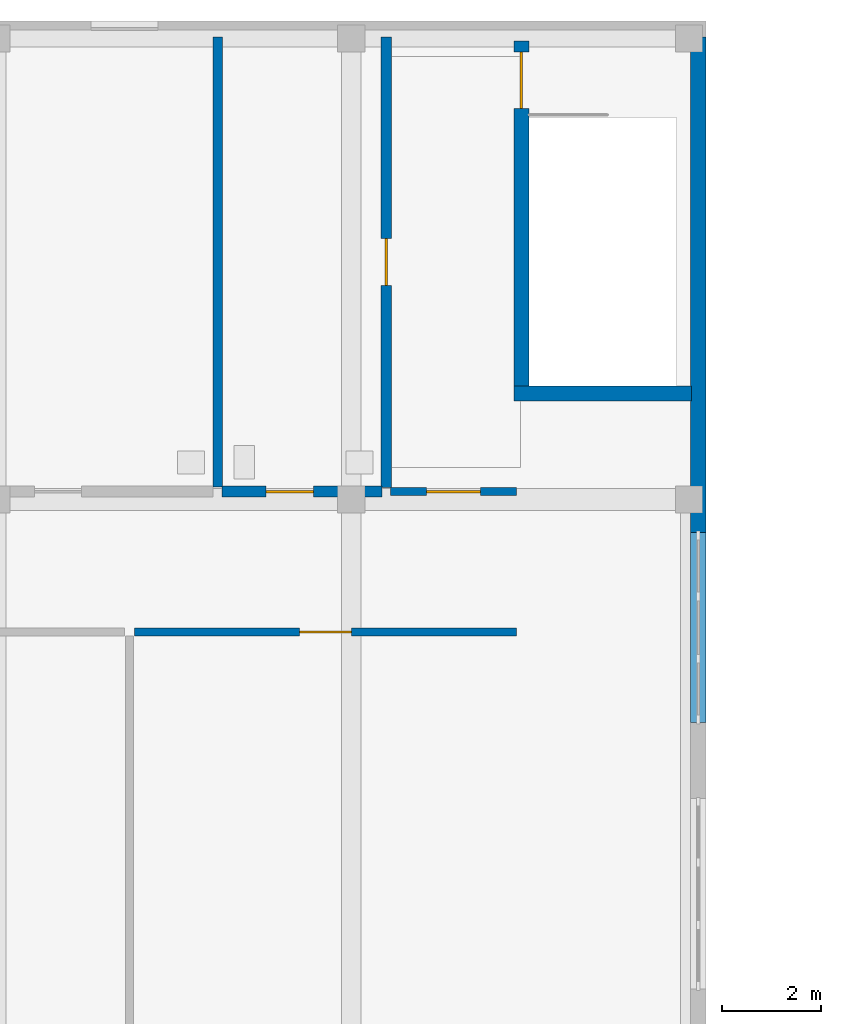
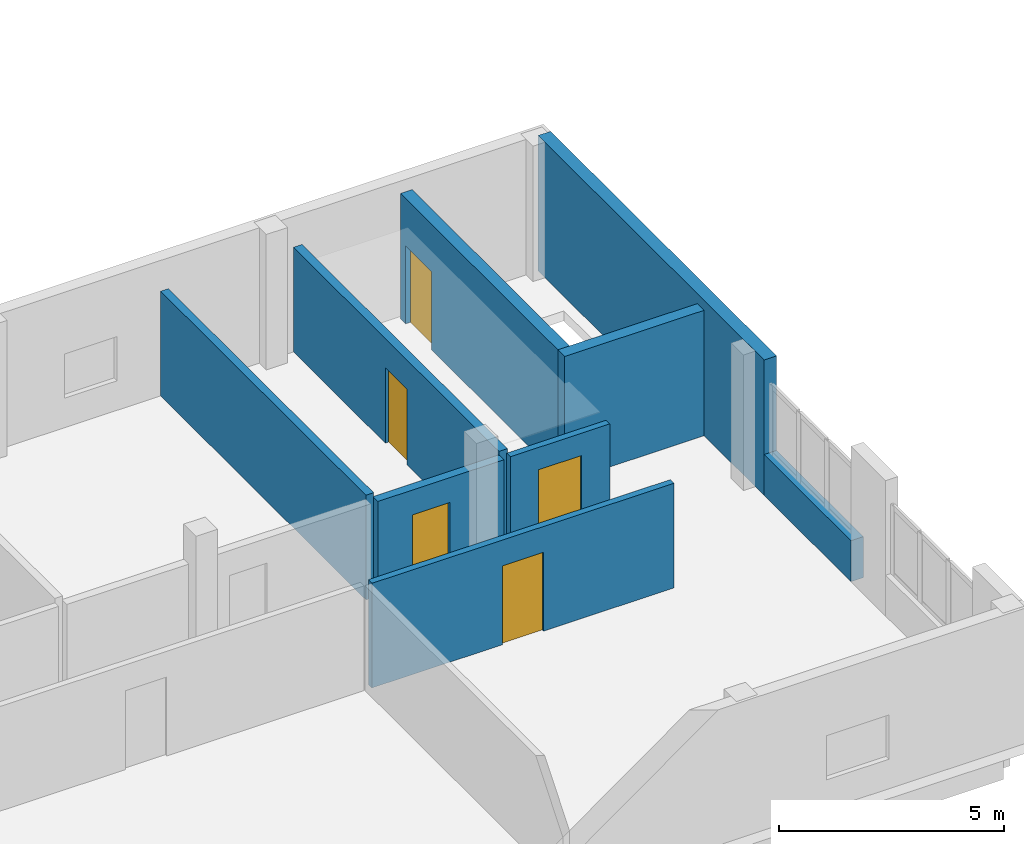
# One storey, part 45 of 73: 9 walls, 5 doors, 5 openings.
"""IFC4 building model written with IfcOpenShell, lengths in metres."""

from ifc_helpers import new_model, si_unit, derived_unit, direction, frame, frame_2d, origin, place, context, subcontext, project, spatial, rectangle, extrude, material, layer, layer_set, type_object, element, fill, save


model = new_model("IFC4")

# Units and contexts
model_context = context("Model", 3, precision=1e-05, world=origin(), true_north=direction((0.0, 1.0)))
body_context = subcontext(model_context, "Body", "Model", "MODEL_VIEW")
ifc_project = project(units=[si_unit("LENGTHUNIT", "METRE"), si_unit("AREAUNIT", "SQUARE_METRE"), si_unit("VOLUMEUNIT", "CUBIC_METRE"), si_unit("PLANEANGLEUNIT", "RADIAN"), si_unit("MASSUNIT", "GRAM", prefix="KILO"), derived_unit("THERMALTRANSMITTANCEUNIT", [(si_unit("MASSUNIT", "GRAM", prefix="KILO"), 1), (si_unit("TIMEUNIT", "SECOND"), -3), (si_unit("THERMODYNAMICTEMPERATUREUNIT", "KELVIN"), -1)])], contexts=[model_context])

# Site, building, storey
site_placement = place(None, origin())
site = spatial("IfcSite", under=ifc_project, at=site_placement, CompositionType="ELEMENT")
building_placement = place(site_placement, origin())
building = spatial("IfcBuilding", under=site, at=building_placement, Name="Ochrekiln Boulevard Commons", CompositionType="ELEMENT")
storey_placement = place(building_placement, frame((0.0, 0.0, 4.89990234375)))
storey = spatial("IfcBuildingStorey", under=building, at=storey_placement, Name="L01", CompositionType="ELEMENT", Elevation=4.89990234375)

# Walls
ifc_material_1 = material(Name="Desert ochre clinker brick masonry ASTM C216 Grade SW", Category="masonry")
ifc_layer_1 = layer(ifc_material_1, 0.320068359375)
ifc_layer_set_1 = layer_set([ifc_layer_1], Name="Desert ochre clinker brick masonry ASTM C216 Grade SW")
wall_type_1 = type_object("IfcWallType", Name="WL-EXT-OCHRE-320", PredefinedType="SOLIDWALL", material=ifc_layer_set_1)
wall_1_placement = place(storey_placement, frame((107.840087890625, 108.429931640625, 0.0), z_axis=(0.0, 0.0, 1.0), x_axis=(0.0, 1.0, 0.0)))
element("IfcWall", 1, at=wall_1_placement, inside=storey, type_object=wall_type_1, Name="Nursery Pavilion L01 E North Pier Wall", PredefinedType="SOLIDWALL", context=body_context, shape_type="SweptSolid", body=[
    extrude(rectangle(XDim=10.050048828125, YDim=0.320068359375, at=frame_2d((5.02490234375, 0.0))), origin(), (0.0, 0.0, 1.0), 3.675048828125),
])
wall_2_placement = place(storey_placement, frame((107.840087890625, 104.570068359375, 0.0), z_axis=(0.0, 0.0, 1.0), x_axis=(0.0, 1.0, 0.0)))
element("IfcWall", 2, at=wall_2_placement, inside=storey, type_object=wall_type_1, Name="Nursery Pavilion L01 E Garden Sill Wall 2", PredefinedType="SOLIDWALL", context=body_context, shape_type="SweptSolid", body=[
    extrude(rectangle(XDim=3.85986328125, YDim=0.320068359375, at=frame_2d((1.929931640625, 0.0))), origin(), (0.0, 0.0, 1.0), 1.110107421875),
])
ifc_material_2 = material(Name="Moisture-resistant cementitious tile backer wall")
ifc_layer_2 = layer(ifc_material_2, 0.199951171875)
ifc_layer_set_2 = layer_set([ifc_layer_2], Name="Moisture-resistant cementitious tile backer wall")
wall_type_2 = type_object("IfcWallType", Name="WL-PLM-200", PredefinedType="PLUMBINGWALL", material=ifc_layer_set_2)
wall_3_placement = place(storey_placement, frame((98.090087890625, 109.35009765625, 0.0), z_axis=(0.0, 0.0, 1.0), x_axis=(0.0, 1.0, 0.0)))
element("IfcWall", 3, at=wall_3_placement, inside=storey, type_object=wall_type_2, Name="L01 Interior Wall W-PW200", PredefinedType="PLUMBINGWALL", context=body_context, shape_type="SweptSolid", body=[
    extrude(rectangle(XDim=9.1298828125, YDim=0.199951171875, at=frame_2d((4.56494140625, 0.0))), origin(), (0.0, 0.0, 1.0), 2.840087890625),
])

# Wall, opening, door
ifc_layer_3 = layer(ifc_material_2, 0.219970703125)
ifc_layer_set_3 = layer_set([ifc_layer_3], Name="Moisture-resistant cementitious tile backer wall")
wall_type_3 = type_object("IfcWallType", Name="WL-PLM-220", PredefinedType="PLUMBINGWALL", material=ifc_layer_set_3)
wall_4_placement = place(storey_placement, frame((98.179931640625, 109.260009765625, 0.0), z_axis=(0.0, 0.0, 1.0), x_axis=(1.0, 0.0, 0.0)))
wall_4 = element("IfcWall", 4, at=wall_4_placement, inside=storey, type_object=wall_type_3, Name="L01 Interior Wall W-PW220", PredefinedType="PLUMBINGWALL", context=body_context, shape_type="SweptSolid", body=[
    extrude(rectangle(XDim=3.239990234375, YDim=0.219970703125, at=frame_2d((1.6201171875, 0.0))), origin(), (0.0, 0.0, 1.0), 2.72509765625),
])
opening_1_placement = place(wall_4_placement, frame((0.889892578125, 0.0, 0.0)))
opening_1 = element("IfcOpeningElement", 5, at=opening_1_placement, cuts=wall_4, Name="Opening D-L01-289", PredefinedType="OPENING", context=body_context, shape_type="SweptSolid", body=[
    extrude(rectangle(XDim=0.9599609375, YDim=2.050048828125, at=frame_2d((0.47998046875, 1.02490234375))), frame((0.0, 0.119873046875, 0.0), z_axis=(0.0, -1.0, 0.0), x_axis=(1.0, 0.0, 0.0)), (0.0, 0.0, 1.0), 0.239990234375),
])
ifc_material_3 = material(Name="Solid core architectural oak door leaf")
door_type_1 = type_object("IfcDoorType", Name="DR-INT-ADA-096", OperationType="NOTDEFINED", PredefinedType="DOOR", material=ifc_material_3)
door_1_placement = place(opening_1_placement, origin())
door_1 = element("IfcDoor", 6, at=door_1_placement, inside=storey, type_object=door_type_1, Name="L01 Interior Door to Staff Accessible WC", OperationType="SINGLE_SWING_LEFT", OverallHeight=2.050048828125, OverallWidth=0.9599609375, PredefinedType="DOOR", context=body_context, shape_type="SweptSolid", body=[
    extrude(rectangle(XDim=0.9599609375, YDim=2.050048828125, at=frame_2d((0.47998046875, 1.02490234375))), frame((0.0, 0.02490234375, 0.0), z_axis=(0.0, -1.0, 0.0), x_axis=(1.0, 0.0, 0.0)), (0.0, 0.0, 1.0), 0.050048828125),
])
fill(opening_1, door_1)

wall_5_placement = place(storey_placement, frame((101.510009765625, 109.343017578125, 0.0), z_axis=(0.0, 0.0, 1.0), x_axis=(0.0, 1.0, 0.0)))
wall_5 = element("IfcWall", 7, at=wall_5_placement, inside=storey, type_object=wall_type_3, Name="L01 Interior Wall W-PW220", PredefinedType="PLUMBINGWALL", context=body_context, shape_type="SweptSolid", body=[
    extrude(rectangle(XDim=9.136962890625, YDim=0.219970703125, at=frame_2d((4.568359375, 0.0))), origin(), (0.0, 0.0, 1.0), 2.840087890625),
])
opening_2_placement = place(wall_5_placement, frame((4.092041015625, 0.0, 0.0)))
opening_2 = element("IfcOpeningElement", 8, at=opening_2_placement, cuts=wall_5, Name="Opening D-L01-290", PredefinedType="OPENING", context=body_context, shape_type="SweptSolid", body=[
    extrude(rectangle(XDim=0.9599609375, YDim=2.050048828125, at=frame_2d((0.47998046875, 1.02490234375))), frame((0.0, 0.119873046875, 0.0), z_axis=(0.0, -1.0, 0.0), x_axis=(1.0, 0.0, 0.0)), (0.0, 0.0, 1.0), 0.239990234375),
])
door_2_placement = place(opening_2_placement, origin())
door_2 = element("IfcDoor", 9, at=door_2_placement, inside=storey, type_object=door_type_1, Name="L01 Interior Door to Staff Accessible WC", OperationType="SINGLE_SWING_RIGHT", OverallHeight=2.050048828125, OverallWidth=0.9599609375, PredefinedType="DOOR", context=body_context, shape_type="SweptSolid", body=[
    extrude(rectangle(XDim=0.9599609375, YDim=2.050048828125, at=frame_2d((0.47998046875, 1.02490234375))), frame((0.0, 0.02490234375, 0.0), z_axis=(0.0, -1.0, 0.0), x_axis=(1.0, 0.0, 0.0)), (0.0, 0.0, 1.0), 0.050048828125),
])
fill(opening_2, door_2)

ifc_material_4 = material(Name="Fire-rated Type X gypsum board on steel studs", Category="steel")
ifc_layer_4 = layer(ifc_material_4, 0.1650390625)
ifc_layer_set_4 = layer_set([ifc_layer_4], Name="Fire-rated Type X gypsum board on steel studs")
wall_type_4 = type_object("IfcWallType", Name="WL-PT-CORR-165", PredefinedType="PARTITIONING", material=ifc_layer_set_4)
wall_6_placement = place(storey_placement, frame((101.60009765625, 109.260009765625, 0.0), z_axis=(0.0, 0.0, 1.0), x_axis=(1.0, 0.0, 0.0)))
wall_6 = element("IfcWall", 10, at=wall_6_placement, inside=storey, type_object=wall_type_4, Name="L01 Interior Wall W-PC165", PredefinedType="PARTITIONING", context=body_context, shape_type="SweptSolid", body=[
    extrude(rectangle(XDim=2.5498046875, YDim=0.1650390625, at=frame_2d((1.27490234375, 0.0))), origin(), (0.0, 0.0, 1.0), 2.72509765625),
])
opening_3_placement = place(wall_6_placement, frame((0.72509765625, 0.0, 0.0)))
opening_3 = element("IfcOpeningElement", 11, at=opening_3_placement, cuts=wall_6, Name="Opening D-L01-282", PredefinedType="OPENING", context=body_context, shape_type="SweptSolid", body=[
    extrude(rectangle(XDim=1.10009765625, YDim=2.1201171875, at=frame_2d((0.550048828125, 1.06005859375))), frame((0.0, 0.092529296875, 0.0), z_axis=(0.0, -1.0, 0.0), x_axis=(1.0, 0.0, 0.0)), (0.0, 0.0, 1.0), 0.18505859375),
])
ifc_material_5 = material(Name="Hollow metal fire-rated steel door assembly", Category="steel")
door_type_2 = type_object("IfcDoorType", Name="DR-LOBBY-60", OperationType="NOTDEFINED", PredefinedType="DOOR", material=ifc_material_5)
door_3_placement = place(opening_3_placement, origin())
door_3 = element("IfcDoor", 12, at=door_3_placement, inside=storey, type_object=door_type_2, Name="L01 Interior Door to Nursery East Stair Corridor", OperationType="SINGLE_SWING_RIGHT", OverallHeight=2.1201171875, OverallWidth=1.10009765625, PredefinedType="DOOR", context=body_context, shape_type="SweptSolid", body=[
    extrude(rectangle(XDim=1.10009765625, YDim=2.1201171875, at=frame_2d((0.550048828125, 1.06005859375))), frame((0.0, 0.02490234375, 0.0), z_axis=(0.0, -1.0, 0.0), x_axis=(1.0, 0.0, 0.0)), (0.0, 0.0, 1.0), 0.050048828125),
])
fill(opening_3, door_3)

wall_7_placement = place(storey_placement, frame((96.39990234375, 106.409912109375, 0.0), z_axis=(0.0, 0.0, 1.0), x_axis=(1.0, 0.0, 0.0)))
wall_7 = element("IfcWall", 13, at=wall_7_placement, inside=storey, type_object=wall_type_4, Name="L01 Interior Wall W-PC165", PredefinedType="PARTITIONING", context=body_context, shape_type="SweptSolid", body=[
    extrude(rectangle(XDim=7.75, YDim=0.1650390625, at=frame_2d((3.875, 0.0))), origin(), (0.0, 0.0, 1.0), 2.840087890625),
])
opening_4_placement = place(wall_7_placement, frame((3.344970703125, 0.0, 0.0)))
opening_4 = element("IfcOpeningElement", 14, at=opening_4_placement, cuts=wall_7, Name="Opening D-L01-285", PredefinedType="OPENING", context=body_context, shape_type="SweptSolid", body=[
    extrude(rectangle(XDim=1.06005859375, YDim=2.139892578125, at=frame_2d((0.530029296875, 1.06982421875))), frame((0.0, 0.092529296875, 0.0), z_axis=(0.0, -1.0, 0.0), x_axis=(1.0, 0.0, 0.0)), (0.0, 0.0, 1.0), 0.18505859375),
])
door_type_3 = type_object("IfcDoorType", Name="DR-INT-NUR-106", OperationType="NOTDEFINED", PredefinedType="DOOR", material=ifc_material_3)
door_4_placement = place(opening_4_placement, frame((1.06005859375, 0.0, 0.0), z_axis=(0.0, 0.0, 1.0), x_axis=(-1.0, 0.0, 0.0)))
door_4 = element("IfcDoor", 15, at=door_4_placement, inside=storey, type_object=door_type_3, Name="L01 Interior Door to Nursery Preschool Classroom 3", OperationType="SINGLE_SWING_LEFT", OverallHeight=2.139892578125, OverallWidth=1.06005859375, PredefinedType="DOOR", context=body_context, shape_type="SweptSolid", body=[
    extrude(rectangle(XDim=1.06005859375, YDim=2.139892578125, at=frame_2d((0.530029296875, 1.06982421875))), frame((0.0, 0.02490234375, 0.0), z_axis=(0.0, -1.0, 0.0), x_axis=(1.0, 0.0, 0.0)), (0.0, 0.0, 1.0), 0.050048828125),
])
fill(opening_4, door_4)

# Wall
ifc_material_6 = material(Name="Concrete C40/50", Category="concrete")
ifc_layer_5 = layer(ifc_material_6, 0.300048828125)
ifc_layer_set_5 = layer_set([ifc_layer_5], Name="Concrete C40/50")
wall_type_5 = type_object("IfcWallType", Name="WL-SH-300", PredefinedType="SHEAR", material=ifc_layer_set_5)
wall_8_placement = place(storey_placement, frame((104.10009765625, 111.25, 0.0), z_axis=(0.0, 0.0, 1.0), x_axis=(1.0, 0.0, 0.0)))
element("IfcWall", 16, at=wall_8_placement, inside=storey, type_object=wall_type_5, Name="Stair ST-N2 L01 Core Shear Wall S", PredefinedType="SHEAR", context=body_context, shape_type="SweptSolid", body=[
    extrude(rectangle(XDim=3.599853515625, YDim=0.300048828125, at=frame_2d((1.7998046875, 0.0))), origin(), (0.0, 0.0, 1.0), 3.405029296875),
])

# Wall, opening, door
wall_9_placement = place(storey_placement, frame((104.25, 111.39990234375, 0.0), z_axis=(0.0, 0.0, 1.0), x_axis=(0.0, 1.0, 0.0)))
wall_9 = element("IfcWall", 17, at=wall_9_placement, inside=storey, type_object=wall_type_5, Name="Stair ST-N2 L01 Core Shear Wall W", PredefinedType="SHEAR", context=body_context, shape_type="SweptSolid", body=[
    extrude(rectangle(XDim=7.0, YDim=0.300048828125, at=frame_2d((3.5, 0.0))), origin(), (0.0, 0.0, 1.0), 3.405029296875),
])
opening_5_placement = place(wall_9_placement, frame((5.625, 0.0, 0.0)))
opening_5 = element("IfcOpeningElement", 18, at=opening_5_placement, cuts=wall_9, Name="Opening D-L01-ST-N2", PredefinedType="OPENING", context=body_context, shape_type="SweptSolid", body=[
    extrude(rectangle(XDim=1.14990234375, YDim=2.1201171875, at=frame_2d((0.574951171875, 1.06005859375))), frame((0.0, 0.159912109375, 0.0), z_axis=(0.0, -1.0, 0.0), x_axis=(1.0, 0.0, 0.0)), (0.0, 0.0, 1.0), 0.320068359375),
])
door_type_4 = type_object("IfcDoorType", Name="DR-STAIR-90", OperationType="NOTDEFINED", PredefinedType="DOOR", material=ifc_material_5)
door_5_placement = place(opening_5_placement, frame((1.14990234375, 0.0, 0.0), z_axis=(0.0, 0.0, 1.0), x_axis=(-1.0, 0.0, 0.0)))
door_5 = element("IfcDoor", 19, at=door_5_placement, inside=storey, type_object=door_type_4, Name="Enclosed Exit Stair ST-N2 L01 Rated Door", OperationType="SINGLE_SWING_RIGHT", OverallHeight=2.1201171875, OverallWidth=1.14990234375, PredefinedType="DOOR", context=body_context, shape_type="SweptSolid", body=[
    extrude(rectangle(XDim=1.14990234375, YDim=2.1201171875, at=frame_2d((0.574951171875, 1.06005859375))), frame((0.0, 0.02490234375, 0.0), z_axis=(0.0, -1.0, 0.0), x_axis=(1.0, 0.0, 0.0)), (0.0, 0.0, 1.0), 0.050048828125),
])
fill(opening_5, door_5)

save(model, "model.ifc")
